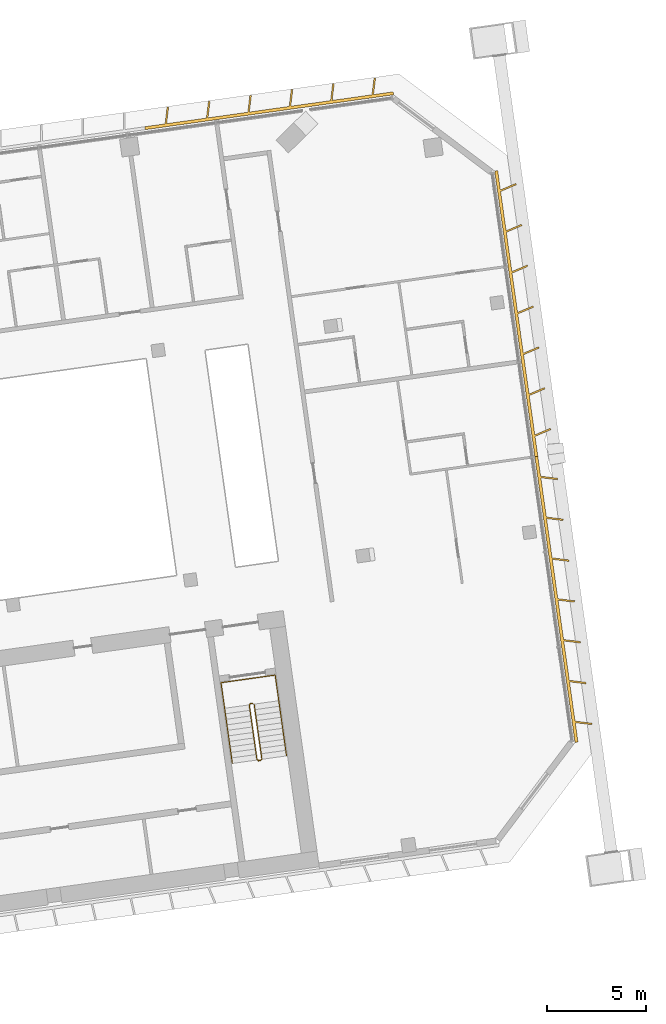
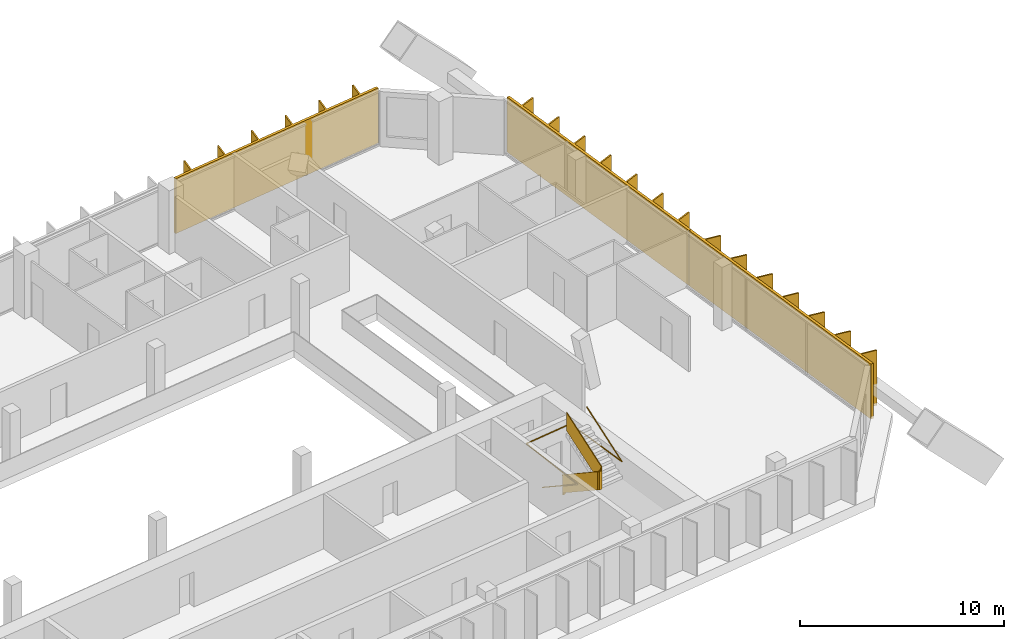
# One storey, part 34 of 34: 3 shading devices, 2 railings.
"""IFC4 building model written with IfcOpenShell, lengths in metres."""

from ifc_helpers import new_model, si_unit, direction, frame, origin, origin_2d, place, context, subcontext, project, spatial, polyline, rectangle, outline, extrude, material, type_object, element, save


model = new_model("IFC4")

# Units and contexts
model_context = context("Model", 3, precision=1e-05, world=origin(), true_north=direction((0.0, 1.0)))
body_context = subcontext(model_context, "Body", "Model", "MODEL_VIEW")
ifc_project = project(units=[si_unit("LENGTHUNIT", "METRE"), si_unit("AREAUNIT", "SQUARE_METRE"), si_unit("VOLUMEUNIT", "CUBIC_METRE"), si_unit("PLANEANGLEUNIT", "RADIAN"), si_unit("MASSUNIT", "GRAM", prefix="KILO")], contexts=[model_context])

# Site, building, storey
site_placement = place(None, origin())
site = spatial("IfcSite", under=ifc_project, at=site_placement, CompositionType="ELEMENT")
building_placement = place(site_placement, origin())
building = spatial("IfcBuilding", under=site, at=building_placement, Name="Mirante Cascada Hotel Towers", CompositionType="ELEMENT")
storey_placement = place(building_placement, frame((0.0, 0.0, 148.1)))
storey = spatial("IfcBuildingStorey", under=building, at=storey_placement, Name="L34", CompositionType="ELEMENT", Elevation=148.1)

# Railings
ifc_material_1 = material(Name="Painted steel", Category="steel")
railing_type_1 = type_object("IfcRailingType", Name="Stair guard 1100 steel balustrade", PredefinedType="GUARDRAIL", material=ifc_material_1)
railing_1_placement = place(storey_placement, frame((87.1361, -4.3713, 0.0)))
element("IfcRailing", 1, at=railing_1_placement, inside=storey, type_object=railing_type_1, Name="L34 ST2-C stair guard 1", PredefinedType="GUARDRAIL", context=body_context, shape_type="SweptSolid", body=[
    extrude(rectangle(XDim=0.048, YDim=0.048, at=origin_2d()), frame((0.0, 0.0, 1.076), z_axis=(-0.9902537, -0.1392753, 0.0), x_axis=(0.1392753, -0.9902537, 0.0)), (0.0, 0.0, 1.0), 0.1501),
    extrude(rectangle(XDim=0.02, YDim=1.052, at=origin_2d()), frame((0.0, 0.0, 0.526), z_axis=(-0.9902537, -0.1392753, 0.0), x_axis=(0.1392753, -0.9902537, 0.0)), (0.0, 0.0, 1.0), 0.1501),
    extrude(rectangle(XDim=0.048, YDim=0.048, at=origin_2d()), frame((-0.1486, -0.0209, 1.076), z_axis=(-0.601811, -0.7986386, 0.0), x_axis=(0.7986386, -0.601811, 0.0)), (0.0, 0.925603, 0.3784959), 0.1866),
    extrude(rectangle(XDim=0.02, YDim=1.052, at=origin_2d()), frame((-0.1486, -0.0209, 0.526), z_axis=(-0.601811, -0.7986386, 0.0), x_axis=(0.7986386, -0.601811, 0.0)), (0.0, 0.925603, 0.3784959), 0.1866),
    extrude(rectangle(XDim=0.048, YDim=0.048, at=origin_2d()), frame((-0.1911, -0.0773, 1.2487), z_axis=(0.139176, -0.9902677, 0.0), x_axis=(0.9902677, 0.139176, 0.0)), (0.0, 0.5250212, 0.8510891), 3.29),
    extrude(rectangle(XDim=0.02, YDim=1.052, at=origin_2d()), frame((-0.1911, -0.0773, 0.6987), z_axis=(0.139176, -0.9902677, 0.0), x_axis=(0.9902677, 0.139176, 0.0)), (0.0, 0.5250212, 0.8510891), 3.29),
    extrude(rectangle(XDim=0.048, YDim=0.048, at=origin_2d()), frame((0.1986, -2.8501, 2.976), z_axis=(0.9944441, -0.1052656, 0.0), x_axis=(0.1052656, 0.9944441, 0.0)), (0.0, 0.0, 1.0), 0.2061),
    extrude(rectangle(XDim=0.02, YDim=1.052, at=origin_2d()), frame((0.1986, -2.8501, 2.426), z_axis=(0.9944441, -0.1052656, 0.0), x_axis=(0.1052656, 0.9944441, 0.0)), (0.0, 0.0, 1.0), 0.2061),
    extrude(rectangle(XDim=0.048, YDim=0.048, at=origin_2d()), frame((0.4036, -2.8718, 2.976), z_axis=(-0.9903454, -0.1386217, 0.0), x_axis=(0.1386217, -0.9903454, 0.0)), (0.0, 0.0, 1.0), 0.15),
    extrude(rectangle(XDim=0.02, YDim=1.052, at=origin_2d()), frame((0.4036, -2.8718, 2.426), z_axis=(-0.9903454, -0.1386217, 0.0), x_axis=(0.1386217, -0.9903454, 0.0)), (0.0, 0.0, 1.0), 0.15),
    extrude(rectangle(XDim=0.048, YDim=0.048, at=origin_2d()), frame((0.255, -2.8926, 2.976), z_axis=(0.9270311, 0.3749843, 0.0), x_axis=(-0.3749843, 0.9270311, 0.0)), (0.0, 0.6421903, 0.7665452), 0.2689),
    extrude(rectangle(XDim=0.02, YDim=1.052, at=origin_2d()), frame((0.255, -2.8926, 2.426), z_axis=(0.9270311, 0.3749843, 0.0), x_axis=(-0.3749843, 0.9270311, 0.0)), (0.0, 0.6421903, 0.7665452), 0.2689),
    extrude(rectangle(XDim=0.048, YDim=0.048, at=origin_2d()), frame((0.4461, -2.8153, 3.1487), z_axis=(-0.139176, 0.9902677, 0.0), x_axis=(-0.9902677, -0.139176, 0.0)), (0.0, 0.5250212, 0.8510891), 3.29),
    extrude(rectangle(XDim=0.02, YDim=1.052, at=origin_2d()), frame((0.4461, -2.8153, 2.5987), z_axis=(-0.139176, 0.9902677, 0.0), x_axis=(-0.9902677, -0.139176, 0.0)), (0.0, 0.5250212, 0.8510891), 3.29),
])
ifc_material_2 = material(Name="Painted steel", Category="steel")
railing_type_2 = type_object("IfcRailingType", Name="Stair handrail 900 steel tube", PredefinedType="HANDRAIL", material=ifc_material_2)
railing_2_placement = place(storey_placement, frame((85.7071, -4.6226, 0.1727)))
element("IfcRailing", 2, at=railing_2_placement, inside=storey, type_object=railing_type_2, Name="L34 ST2-C stair handrail 1", PredefinedType="HANDRAIL", context=body_context, shape_type="SweptSolid", body=[
    extrude(rectangle(XDim=0.048, YDim=0.048, at=origin_2d()), frame((0.0, 0.0, 0.876), z_axis=(0.139181, -0.990267, 0.0), x_axis=(0.990267, 0.139181, 0.0)), (0.0, 0.5250347, 0.8510808), 3.2899),
    extrude(rectangle(XDim=0.048, YDim=0.048, at=origin_2d()), frame((0.3897, -2.7727, 2.6033), z_axis=(-0.1391707, 0.9902684, 0.0), x_axis=(-0.9902684, -0.1391707, 0.0)), (0.0, 0.0420846, 0.999114), 4.1036),
    extrude(rectangle(XDim=0.048, YDim=0.048, at=origin_2d()), frame((-0.1809, 1.2874, 2.776), z_axis=(0.9902691, 0.1391657, 0.0), x_axis=(-0.1391657, 0.9902691, 0.0)), (0.0, 0.0, 1.0), 2.75),
    extrude(rectangle(XDim=0.048, YDim=0.048, at=origin_2d()), frame((2.5423, 1.6701, 2.776), z_axis=(0.1391947, -0.990265, 0.0), x_axis=(0.990265, 0.1391947, 0.0)), (0.0, 0.0, 1.0), 4.1),
    extrude(rectangle(XDim=0.048, YDim=0.048, at=origin_2d()), frame((3.113, -2.39, 2.776), z_axis=(-0.139181, 0.990267, 0.0), x_axis=(-0.990267, -0.139181, 0.0)), (0.0, 0.5250347, 0.8510808), 3.2899),
])

# Shading devices
ifc_material_3 = material(Name="White precast concrete C50/60 fin", Category="concrete")
shading_device_type = type_object("IfcShadingDeviceType", Name="Vertical fin set 4500x900", PredefinedType="USERDEFINED", material=ifc_material_3)
shading_device_1_placement = place(storey_placement, origin())
element("IfcShadingDevice", 3, at=shading_device_1_placement, inside=storey, type_object=shading_device_type, Name="FIN T2 L34 front 1", ObjectType="FIN", PredefinedType="USERDEFINED", context=body_context, shape_type="SweptSolid", body=[
    extrude(outline(polyline([(82.8967, 25.5893), (82.7946, 24.758), (84.7922, 25.0387), (84.8968, 25.8913), (84.9762, 25.8815), (84.8742, 25.0503), (86.8717, 25.331), (86.9764, 26.1835), (87.0558, 26.1738), (86.9537, 25.3425), (88.9513, 25.6233), (89.056, 26.4758), (89.1354, 26.4661), (89.0333, 25.6348), (91.0308, 25.9155), (91.1355, 26.7681), (91.2149, 26.7583), (91.1129, 25.9271), (93.1104, 26.2078), (93.2151, 27.0603), (93.2945, 27.0506), (93.1924, 26.2193), (94.1779, 26.3578), (94.1988, 26.2093), (81.7214, 24.4557), (81.7006, 24.6042), (82.7126, 24.7465), (82.8173, 25.599), (82.8967, 25.5893)])), origin(), (0.0, 0.0, 1.0), 3.3),
])
shading_device_2_placement = place(storey_placement, origin())
element("IfcShadingDevice", 4, at=shading_device_2_placement, inside=storey, type_object=shading_device_type, Name="FIN T2 L34 outer 1", ObjectType="FIN", PredefinedType="USERDEFINED", context=body_context, shape_type="SweptSolid", body=[
    extrude(outline(polyline([(104.1606, -5.4483), (103.3293, -5.3462), (103.4659, -6.3175), (103.3173, -6.3384), (101.2993, 8.0205), (101.4478, 8.0413), (101.5881, 7.0434), (102.4406, 6.9388), (102.4309, 6.8594), (101.5996, 6.9614), (101.8764, 4.9922), (102.7289, 4.8875), (102.7192, 4.8081), (101.8879, 4.9102), (102.1647, 2.9409), (103.0172, 2.8362), (103.0075, 2.7568), (102.1762, 2.8589), (102.4529, 0.8896), (103.3055, 0.785), (103.2957, 0.7056), (102.4645, 0.8076), (102.7412, -1.1616), (103.5938, -1.2663), (103.584, -1.3457), (102.7528, -1.2436), (103.0295, -3.2129), (103.8821, -3.3176), (103.8723, -3.397), (103.041, -3.2949), (103.3178, -5.2642), (104.1704, -5.3689), (104.1606, -5.4483)])), origin(), (0.0, 0.0, 1.0), 3.3),
])
shading_device_3_placement = place(storey_placement, origin())
element("IfcShadingDevice", 5, at=shading_device_3_placement, inside=storey, type_object=shading_device_type, Name="FIN T2 L34 outer 2", ObjectType="FIN", PredefinedType="USERDEFINED", context=body_context, shape_type="SweptSolid", body=[
    extrude(outline(polyline([(102.0983, 9.3749), (101.3076, 9.0392), (101.4478, 8.0413), (101.2993, 8.0205), (99.2813, 22.3794), (99.4298, 22.4002), (99.5663, 21.4289), (100.3373, 21.7561), (100.3685, 21.6825), (99.5779, 21.3469), (99.8546, 19.3776), (100.6256, 19.7048), (100.6568, 19.6312), (99.8662, 19.2956), (100.1429, 17.3263), (100.9139, 17.6536), (100.9451, 17.5799), (100.1544, 17.2443), (100.4312, 15.2751), (101.2021, 15.6023), (101.2334, 15.5287), (100.4427, 15.193), (100.7195, 13.2238), (101.4904, 13.551), (101.5217, 13.4774), (100.731, 13.1418), (101.0078, 11.1725), (101.7787, 11.4998), (101.81, 11.4261), (101.0193, 11.0905), (101.2961, 9.1212), (102.067, 9.4485), (102.0983, 9.3749)])), origin(), (0.0, 0.0, 1.0), 3.3),
])

save(model, "model.ifc")
